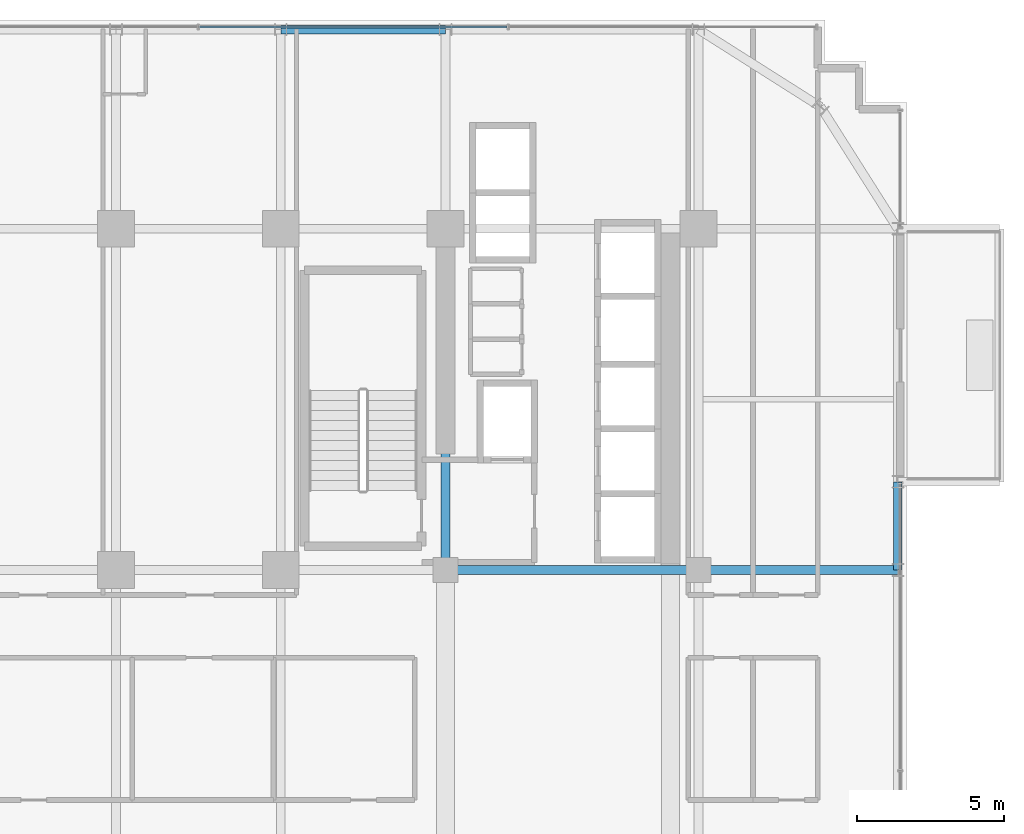
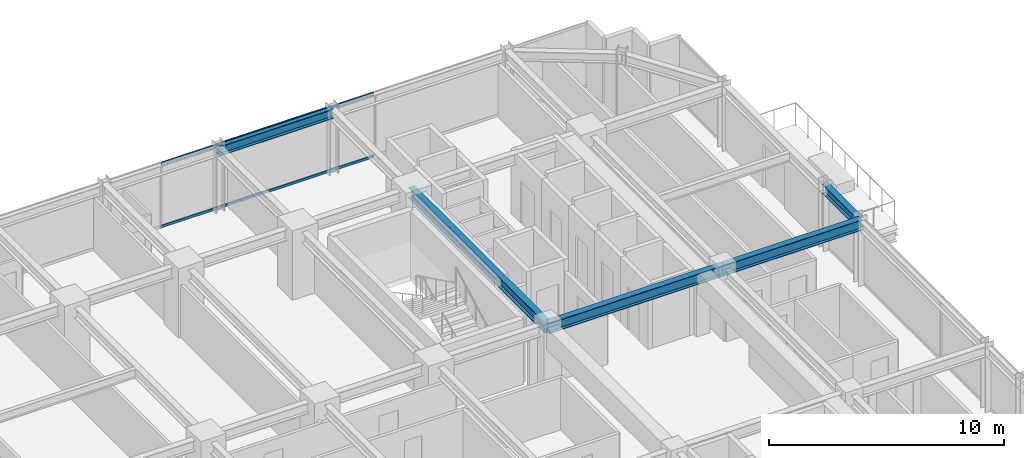
# One storey, part 21 of 33: 5 beams, 2 members, 1 element without a shape of its own.
"""IFC4 building model written with IfcOpenShell, lengths in metres."""

import ifcopenshell
import ifcopenshell.guid

model = None  # the IFC model being written
_history = None  # IfcOwnerHistory: only IFC2X3 demands one
_inside = {}  # id of a spatial element -> (the spatial element, [elements in it])
_under = {}  # id of a project, library or spatial element -> (it, [spatial elements below it])
_declared = {}  # id of a project -> (the project, [libraries it declares])
_typed = {}  # id of a type object -> (the type object, [elements of that type])
_made_of = {}  # id of a material, layer set ... -> (it, [elements and type objects made of it])


def new_model(schema):
    """Start an empty IFC model of exactly this schema.

    Asked for "IFC4X3", IfcOpenShell would pick the latest addendum, in which some entities
    have other attributes; the version numbers below select the first issue.
    IFC2X3 requires an IfcOwnerHistory on every rooted entity: one is made here for all.
    """
    global model, _history
    if schema == "IFC4X3":
        model = ifcopenshell.file(schema_version=(4, 3, 0, 0))
    else:
        model = ifcopenshell.file(schema=schema)
    _inside.clear()
    _under.clear()
    _declared.clear()
    _typed.clear()
    _made_of.clear()
    _history = None
    if model.schema == "IFC2X3":
        org = make("IfcOrganization", Name="unknown")
        user = make(
            "IfcPersonAndOrganization",
            ThePerson=make("IfcPerson", FamilyName="unknown"),
            TheOrganization=org,
        )
        app = make(
            "IfcApplication",
            ApplicationDeveloper=org,
            Version="unknown",
            ApplicationFullName="unknown",
            ApplicationIdentifier="unknown",
        )
        _history = make(
            "IfcOwnerHistory",
            OwningUser=user,
            OwningApplication=app,
            ChangeAction="ADDED",
            CreationDate=0,
        )
    return model


def make(cls, **values):
    """One entity of the class cls with the attributes given. An attribute that is None is left unset."""
    return model.create_entity(
        cls, **{name: value for name, value in values.items() if value is not None}
    )


def rooted(cls, **values):
    """An entity with a GlobalId (a new one), such as an element, a storey or a relation."""
    return make(cls, GlobalId=ifcopenshell.guid.new(), OwnerHistory=_history, **values)


def si_unit(unit_type, name, prefix=None):
    """IfcSIUnit, for example si_unit("LENGTHUNIT", "METRE", prefix="MILLI")."""
    return make("IfcSIUnit", UnitType=unit_type, Prefix=prefix, Name=name)


def assignment(units):
    """IfcUnitAssignment: the units of a project."""
    return None if units is None else make("IfcUnitAssignment", Units=units)


def point(xyz):
    """IfcCartesianPoint."""
    return None if xyz is None else make("IfcCartesianPoint", Coordinates=xyz)


def direction(xyz):
    """IfcDirection."""
    return None if xyz is None else make("IfcDirection", DirectionRatios=xyz)


def frame(location, z_axis=None, x_axis=None):
    """IfcAxis2Placement3D, a coordinate frame: its origin and axes. An axis left out is left unset."""
    return make(
        "IfcAxis2Placement3D",
        Location=point(location),
        Axis=direction(z_axis),
        RefDirection=direction(x_axis),
    )


def frame_2d(location, x_axis=None):
    """IfcAxis2Placement2D, a coordinate frame in the plane: its origin and x axis."""
    return make(
        "IfcAxis2Placement2D", Location=point(location), RefDirection=direction(x_axis)
    )


def origin():
    """The frame at (0, 0, 0) with its axes left unset."""
    return frame((0.0, 0.0, 0.0))


def origin_2d():
    """The frame at (0, 0) in the plane with its x axis left unset."""
    return frame_2d((0.0, 0.0))


def place(relative_to, where):
    """IfcLocalPlacement: puts the frame where relative to a parent placement (None: the world)."""
    return make(
        "IfcLocalPlacement", PlacementRelTo=relative_to, RelativePlacement=where
    )


def context(
    kind, dimensions, precision=None, world=None, true_north=None, identifier=None
):
    """IfcGeometricRepresentationContext, for example the 3D "Model" context."""
    return make(
        "IfcGeometricRepresentationContext",
        ContextIdentifier=identifier,
        ContextType=kind,
        CoordinateSpaceDimension=dimensions,
        Precision=precision,
        WorldCoordinateSystem=world,
        TrueNorth=true_north,
    )


def subcontext(parent, identifier, kind, view, scale=None):
    """IfcGeometricRepresentationSubContext, for example "Body" below "Model"."""
    return make(
        "IfcGeometricRepresentationSubContext",
        ContextIdentifier=identifier,
        ContextType=kind,
        ParentContext=parent,
        TargetScale=scale,
        TargetView=view,
    )


def project(units=None, contexts=None):
    """IfcProject with its units and contexts."""
    return rooted(
        "IfcProject",
        Name="project",
        RepresentationContexts=contexts,
        UnitsInContext=assignment(units),
    )


def spatial(cls, under=None, at=None, **own):
    """A site, building, storey or space (cls), placed at a placement, below another one or the project."""
    s = rooted(cls, ObjectPlacement=at, **own)
    if under is not None:
        _under.setdefault(under.id(), (under, []))[1].append(s)
    return s


def profile(cls, at=None, kind="AREA", **sizes):
    """A parametric profile (cls). Its sizes go by their IFC names, for example OverallWidth=200.0."""
    return make(cls, ProfileType=kind, Position=at, **sizes)


def hollow_rectangle(**sizes):
    """IfcRectangleHollowProfileDef."""
    return profile("IfcRectangleHollowProfileDef", **sizes)


def i_section(**sizes):
    """IfcIShapeProfileDef."""
    return profile("IfcIShapeProfileDef", **sizes)


def extrude(swept, where, along, depth):
    """IfcExtrudedAreaSolid: the profile swept, set in the frame where, extruded along a direction by depth."""
    return make(
        "IfcExtrudedAreaSolid",
        SweptArea=swept,
        Position=where,
        ExtrudedDirection=direction(along),
        Depth=depth,
    )


def shape(context_of_items, identifier, shape_type, items):
    """IfcShapeRepresentation: the items that make up one representation, for example the "Body"."""
    return make(
        "IfcShapeRepresentation",
        ContextOfItems=context_of_items,
        RepresentationIdentifier=identifier,
        RepresentationType=shape_type,
        Items=items,
    )


def source(mapping_origin, context_of_items, identifier, shape_type, items):
    """IfcRepresentationMap: a shape defined once, which mapped items show again and again."""
    return make(
        "IfcRepresentationMap",
        MappingOrigin=mapping_origin,
        MappedRepresentation=shape(context_of_items, identifier, shape_type, items),
    )


def transform(
    local_origin,
    x_axis=None,
    y_axis=None,
    z_axis=None,
    scale=None,
    scale2=None,
    scale3=None,
    uniform=True,
):
    """IfcCartesianTransformationOperator3D, or its non-uniform kind. x_axis, y_axis, z_axis: its Axis1, 2, 3."""
    if uniform:
        return make(
            "IfcCartesianTransformationOperator3D",
            Axis1=direction(x_axis),
            Axis2=direction(y_axis),
            LocalOrigin=point(local_origin),
            Scale=scale,
            Axis3=direction(z_axis),
        )
    return make(
        "IfcCartesianTransformationOperator3DnonUniform",
        Axis1=direction(x_axis),
        Axis2=direction(y_axis),
        LocalOrigin=point(local_origin),
        Scale=scale,
        Axis3=direction(z_axis),
        Scale2=scale2,
        Scale3=scale3,
    )


def mapped(mapping_source, mapping_target):
    """IfcMappedItem: shows the shape of a source again, moved by a transform."""
    return make(
        "IfcMappedItem", MappingSource=mapping_source, MappingTarget=mapping_target
    )


def material(Name=None, Category=None):
    """IfcMaterial."""
    return make("IfcMaterial", Name=Name, Category=Category)


def material_profile(
    of_material, cross_section, Name=None, Category=None, Priority=None
):
    """IfcMaterialProfile: a cross section and its material."""
    return make(
        "IfcMaterialProfile",
        Name=Name,
        Material=of_material,
        Profile=cross_section,
        Priority=Priority,
        Category=Category,
    )


def profile_set(profiles, Name=None, composite=None):
    """IfcMaterialProfileSet."""
    return make(
        "IfcMaterialProfileSet",
        Name=Name,
        MaterialProfiles=profiles,
        CompositeProfile=composite,
    )


def made_of(thing, what):
    """Note that an element or type object is made of a material, layer set ...; save() writes the relation."""
    if what is not None:
        _made_of.setdefault(what.id(), (what, []))[1].append(thing)
    return thing


def type_object(cls, material=None, **own):
    """A type object (cls), such as IfcWallType, which elements share."""
    return made_of(rooted(cls, **own), material)


def element(
    cls,
    number,
    at=None,
    inside=None,
    cuts=None,
    type_object=None,
    material=None,
    context=None,
    identifier="Body",
    shape_type=None,
    held_by="IfcProductDefinitionShape",
    body=None,
    shapes=None,
    **own,
):
    """One element of the class cls, such as IfcWall. Its Tag is "e" and its number.

    at: its placement. inside: the storey or other place that contains it. cuts: it is an
    opening in that element (IfcRelVoidsElement). A single representation is given by context,
    identifier, shape_type and body (its items); several are given by shapes. held_by: the class
    of the entity that holds the representations. save() writes the other relations.
    """
    e = rooted(cls, Tag="e%d" % number, ObjectPlacement=at, **own)
    if body is not None:
        shapes = [shape(context, identifier, shape_type, body)]
    if shapes is not None:
        e.Representation = make(held_by, Representations=shapes)
    if inside is not None:
        _inside.setdefault(inside.id(), (inside, []))[1].append(e)
    if cuts is not None:
        rooted(
            "IfcRelVoidsElement", RelatingBuildingElement=cuts, RelatedOpeningElement=e
        )
    if type_object is not None:
        _typed.setdefault(type_object.id(), (type_object, []))[1].append(e)
    return made_of(e, material)


def aggregate(whole, parts):
    """IfcRelAggregates: a whole, such as a stair, and the parts it consists of."""
    return rooted("IfcRelAggregates", RelatingObject=whole, RelatedObjects=parts)


def save(model, path):
    """Write the relations noted so far, then the file.

    IfcRelAggregates (storeys below a building ...), IfcRelContainedInSpatialStructure (elements
    in a storey), IfcRelDefinesByType, IfcRelAssociatesMaterial and IfcRelDeclares: one each for
    every whole, place, type object, material and project.
    """
    for whole, parts in _under.values():
        aggregate(whole, parts)
    for where, things in _inside.values():
        rooted(
            "IfcRelContainedInSpatialStructure",
            RelatedElements=things,
            RelatingStructure=where,
        )
    for kind, things in _typed.values():
        rooted("IfcRelDefinesByType", RelatedObjects=things, RelatingType=kind)
    for what, things in _made_of.values():
        rooted("IfcRelAssociatesMaterial", RelatedObjects=things, RelatingMaterial=what)
    for by, libraries in _declared.values():
        rooted("IfcRelDeclares", RelatingContext=by, RelatedDefinitions=libraries)
    model.write(path)


model = new_model("IFC4")

# Units and contexts
model_context = context("Model", 3, precision=1e-05, world=origin(), true_north=direction((0.0, 1.0)))
body_context = subcontext(model_context, "Body", "Model", "MODEL_VIEW")
ifc_project = project(units=[si_unit("LENGTHUNIT", "METRE"), si_unit("AREAUNIT", "SQUARE_METRE"), si_unit("VOLUMEUNIT", "CUBIC_METRE"), si_unit("PLANEANGLEUNIT", "RADIAN"), si_unit("MASSUNIT", "GRAM", prefix="KILO")], contexts=[model_context])

# Site, building, storey
site_placement = place(None, origin())
site = spatial("IfcSite", under=ifc_project, at=site_placement, CompositionType="ELEMENT")
building_placement = place(site_placement, origin())
building = spatial("IfcBuilding", under=site, at=building_placement, Name="Nahalor Promenade Grand Hotel", CompositionType="ELEMENT")
storey_placement = place(building_placement, frame((0.0, 0.0, 132.10009765625)))
storey = spatial("IfcBuildingStorey", under=building, at=storey_placement, Name="L33", CompositionType="ELEMENT", Elevation=132.10009765625)

# Beams
ifc_material_1 = material(Name="Steel S355JR", Category="steel")
ifc_material_profile_1 = material_profile(ifc_material_1, i_section(OverallWidth=0.3, OverallDepth=0.5, WebThickness=0.0145, FlangeThickness=0.028, at=origin_2d()), Name="HEB 500")
ifc_profile_set_1 = profile_set([ifc_material_profile_1], Name="Steel S355JR")
beam_type_1 = type_object("IfcBeamType", Name="Beam-Spandrel-HEB500", PredefinedType="SPANDREL", material=ifc_profile_set_1)
shared_shape_1 = source(origin(), body_context, "Body", "SweptSolid", [
    extrude(i_section(OverallWidth=0.3, OverallDepth=0.5, WebThickness=0.0145, FlangeThickness=0.028, at=origin_2d()), origin(), (0.0, 0.0, 1.0), 5.599853515625),
])
beam_1_placement = place(storey_placement, frame((2.800048828125, 23.780029296875, 3.1298828125), z_axis=(1.0, 0.0, 0.0), x_axis=(0.0, 1.0, 0.0)))
element("IfcBeam", 1, at=beam_1_placement, inside=storey, type_object=beam_type_1, Name="BM-L33-SP-N-3", PredefinedType="SPANDREL", context=body_context, shape_type="MappedRepresentation", body=[
    mapped(shared_shape_1, transform((0.0, 0.0, 0.0), scale=1.0)),
])
shared_shape_2 = source(origin(), body_context, "Body", "SweptSolid", [
    extrude(i_section(OverallWidth=0.3, OverallDepth=0.5, WebThickness=0.0145, FlangeThickness=0.028, at=origin_2d()), origin(), (0.0, 0.0, 1.0), 3.0),
])
beam_2_placement = place(storey_placement, frame((23.780029296875, 5.39990234375, 3.1298828125), z_axis=(0.0, 1.0, 0.0), x_axis=(-1.0, 0.0, 0.0)))
element("IfcBeam", 2, at=beam_2_placement, inside=storey, type_object=beam_type_1, Name="BM-L33-SP-E-3", PredefinedType="SPANDREL", context=body_context, shape_type="MappedRepresentation", body=[
    mapped(shared_shape_2, transform((0.0, 0.0, 0.0), scale=1.0)),
])
ifc_material_profile_2 = material_profile(ifc_material_1, i_section(OverallWidth=0.3, OverallDepth=0.55, WebThickness=0.015, FlangeThickness=0.029, at=origin_2d()), Name="HEB 550")
ifc_profile_set_2 = profile_set([ifc_material_profile_2], Name="Steel S355JR")
beam_type_2 = type_object("IfcBeamType", Name="Beam-Girder-HEB550", PredefinedType="BEAM", material=ifc_profile_set_2)
shared_shape_3 = source(origin(), body_context, "Body", "SweptSolid", [
    extrude(i_section(OverallWidth=0.3, OverallDepth=0.55, WebThickness=0.015, FlangeThickness=0.029, at=origin_2d()), origin(), (0.0, 0.0, 1.0), 6.780029296875),
])
beam_3_placement = place(storey_placement, frame((17.0, 5.39990234375, 3.10498046875), z_axis=(1.0, 0.0, 0.0), x_axis=(0.0, 1.0, 0.0)))
element("IfcBeam", 3, at=beam_3_placement, inside=storey, type_object=beam_type_2, Name="BM-L33-GX-2-6", PredefinedType="BEAM", context=body_context, shape_type="MappedRepresentation", body=[
    mapped(shared_shape_3, transform((0.0, 0.0, 0.0), scale=1.0)),
])
shared_shape_4 = source(origin(), body_context, "Body", "SweptSolid", [
    extrude(i_section(OverallWidth=0.3, OverallDepth=0.55, WebThickness=0.015, FlangeThickness=0.029, at=origin_2d()), origin(), (0.0, 0.0, 1.0), 8.60009765625),
])
beam_4_placement = place(storey_placement, frame((8.39990234375, 5.39990234375, 3.10498046875), z_axis=(1.0, 0.0, 0.0), x_axis=(0.0, 1.0, 0.0)))
element("IfcBeam", 4, at=beam_4_placement, inside=storey, type_object=beam_type_2, Name="BM-L33-GX-2-5", PredefinedType="BEAM", context=body_context, shape_type="MappedRepresentation", body=[
    mapped(shared_shape_4, transform((0.0, 0.0, 0.0), scale=1.0)),
])
shared_shape_5 = source(origin(), body_context, "Body", "SweptSolid", [
    extrude(i_section(OverallWidth=0.3, OverallDepth=0.55, WebThickness=0.015, FlangeThickness=0.029, at=origin_2d()), origin(), (0.0, 0.0, 1.0), 11.60009765625),
])
beam_5_placement = place(storey_placement, frame((8.39990234375, 5.39990234375, 3.10498046875), z_axis=(0.0, 1.0, 0.0), x_axis=(-1.0, 0.0, 0.0)))
element("IfcBeam", 5, at=beam_5_placement, inside=storey, type_object=beam_type_2, Name="BM-L33-GY-4-3", PredefinedType="BEAM", context=body_context, shape_type="MappedRepresentation", body=[
    mapped(shared_shape_5, transform((0.0, 0.0, 0.0), scale=1.0)),
])

# Curtain wall, members
ifc_material_2 = material(Name="Anodised Bronze Aluminium EN AW-6063 T6", Category="aluminium")
curtain_wall_type = type_object("IfcCurtainWallType", Name="CW2 Typical Hotel Flush Bronze Unitised Curtain Wall", PredefinedType="USERDEFINED", material=ifc_material_2)
curtain_wall_placement = place(storey_placement, origin())
curtain_wall = element("IfcCurtainWall", 6, at=curtain_wall_placement, inside=storey, type_object=curtain_wall_type, Name="L33 Curtain Wall CW-L33-N-1", ObjectType="UNITISED_CURTAIN_WALL", PredefinedType="USERDEFINED")
ifc_material_profile_3 = material_profile(ifc_material_2, hollow_rectangle(XDim=0.065, YDim=0.13, WallThickness=0.004, at=origin_2d()), Name="CWT 65x130x4")
ifc_profile_set_3 = profile_set([ifc_material_profile_3], Name="Anodised Bronze Aluminium EN AW-6063 T6")
member_type = type_object("IfcMemberType", Name="CWT2 Typical Bronze Transom 65x130", PredefinedType="USERDEFINED", material=ifc_profile_set_3)
shared_shape_6 = source(origin(), body_context, "Body", "SweptSolid", [
    extrude(hollow_rectangle(XDim=0.065, YDim=0.13, WallThickness=0.004, at=origin_2d()), origin(), (0.0, 0.0, 1.0), 10.465087890625),
])
member_1_placement = place(storey_placement, frame((0.032470703125, 23.860107421875, 0.06494140625), z_axis=(1.0, 0.0, 0.0), x_axis=(0.0, 1.0, 0.0)))
member_1 = element("IfcMember", 7, at=member_1_placement, type_object=member_type, Name="CW-L33-N-1 Transom 2-0", ObjectType="TRANSOM", PredefinedType="USERDEFINED", context=body_context, shape_type="MappedRepresentation", body=[
    mapped(shared_shape_6, transform((0.0, 0.0, 0.0), scale=1.0)),
])
member_2_placement = place(storey_placement, frame((0.032470703125, 23.860107421875, 3.31494140625), z_axis=(1.0, 0.0, 0.0), x_axis=(0.0, 1.0, 0.0)))
member_2 = element("IfcMember", 8, at=member_2_placement, type_object=member_type, Name="CW-L33-N-1 Transom 2-1", ObjectType="TRANSOM", PredefinedType="USERDEFINED", context=body_context, shape_type="MappedRepresentation", body=[
    mapped(shared_shape_6, transform((0.0, 0.0, 0.0), scale=1.0)),
])
aggregate(curtain_wall, [member_1, member_2])

save(model, "model.ifc")
